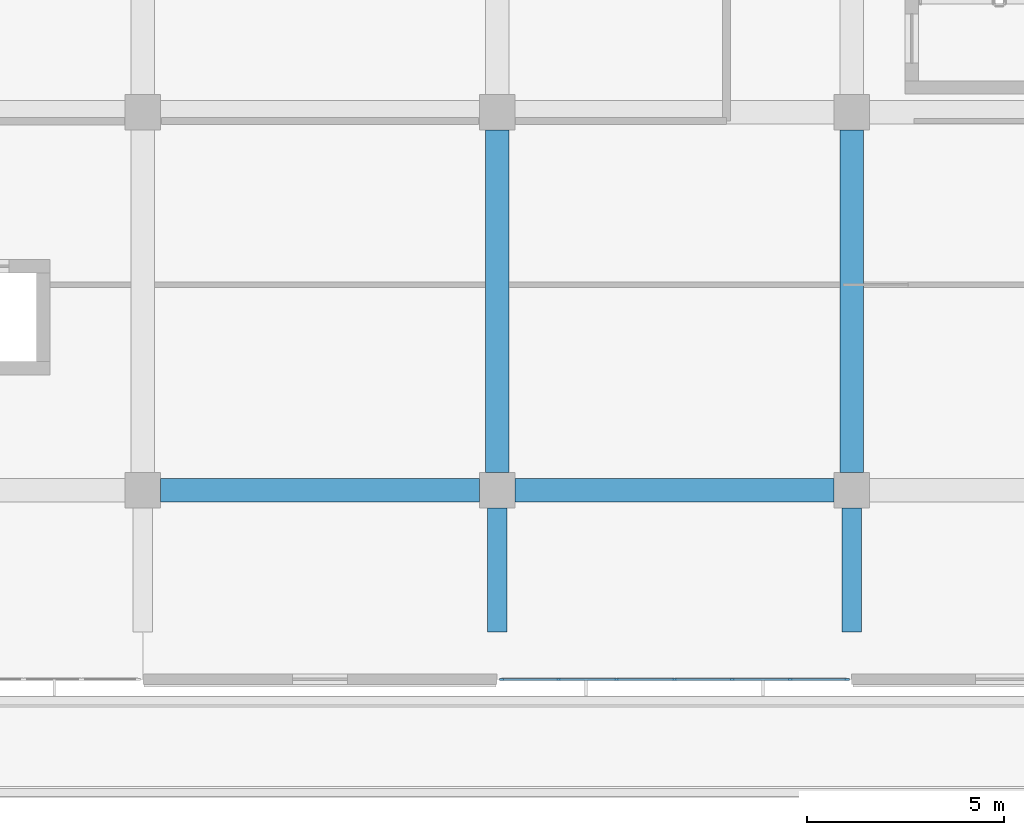
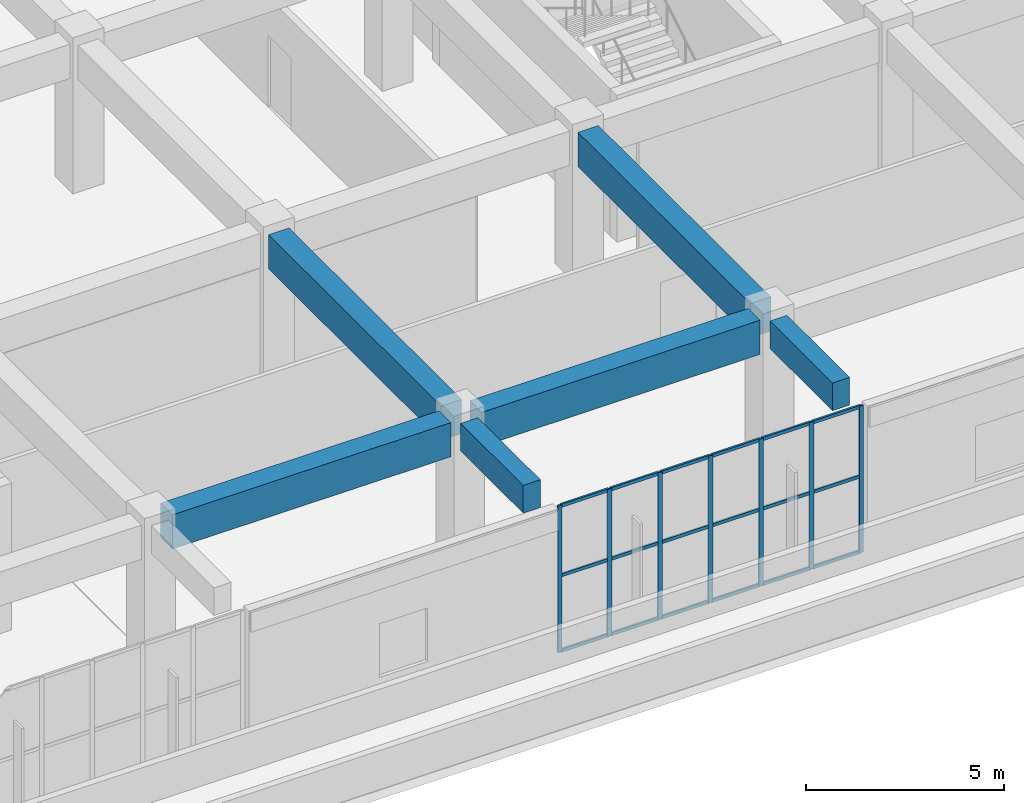
# One storey, part 20 of 96: 25 members, 6 beams, 1 element without a shape of its own.
"""IFC4 building model written with IfcOpenShell, lengths in metres."""

from ifc_helpers import new_model, si_unit, direction, frame, origin, origin_2d, place, context, subcontext, project, spatial, rectangle, extrude, material, layer, layer_set, material_profile, profile_set, type_object, element, aggregate, save


model = new_model("IFC4")

# Units and contexts
model_context = context("Model", 3, precision=1e-05, world=origin(), true_north=direction((0.0, 1.0)))
body_context = subcontext(model_context, "Body", "Model", "MODEL_VIEW")
ifc_project = project(units=[si_unit("LENGTHUNIT", "METRE"), si_unit("AREAUNIT", "SQUARE_METRE"), si_unit("VOLUMEUNIT", "CUBIC_METRE"), si_unit("PLANEANGLEUNIT", "RADIAN"), si_unit("MASSUNIT", "GRAM", prefix="KILO")], contexts=[model_context])

# Site, building, storey
site_placement = place(None, origin())
site = spatial("IfcSite", under=ifc_project, at=site_placement, CompositionType="ELEMENT")
building_placement = place(site_placement, origin())
building = spatial("IfcBuilding", under=site, at=building_placement, Name="Cendralis Terraced Arcade", CompositionType="ELEMENT")
storey_placement = place(building_placement, frame((0.0, 0.0, 10.199951171875)))
storey = spatial("IfcBuildingStorey", under=building, at=storey_placement, Name="L02", CompositionType="ELEMENT", Elevation=10.199951171875)

# Beams
ifc_material_1 = material(Name="Concrete f'c 35 MPa", Category="concrete")
ifc_material_profile_1 = material_profile(ifc_material_1, rectangle(XDim=0.60009765625, YDim=1.050048828125, at=origin_2d()), Name="RC-BM-600x1050", Category="LoadBearing")
ifc_profile_set_1 = profile_set([ifc_material_profile_1], Name="Concrete f'c 35 MPa")
beam_type_1 = type_object("IfcBeamType", Name="BM-600x1050", PredefinedType="JOIST", material=ifc_profile_set_1)
for number, where, z_axis, x_axis, name in (
    (1, (94.64990234375, 9.60009765625, 3.989990234375), (1.0, 0.0, 0.0), (0.0, 1.0, 0.0), "Reinforced Concrete Frame Beam BM-X-L03-B-11_12"),
    (2, (103.64990234375, 9.60009765625, 3.989990234375), (1.0, 0.0, 0.0), (0.0, 1.0, 0.0), "Reinforced Concrete Frame Beam BM-X-L03-B-12_13"),
):
    element("IfcBeam", number, at=place(storey_placement, frame(where, z_axis=z_axis, x_axis=x_axis)), inside=storey, type_object=beam_type_1, Name=name, PredefinedType="JOIST", context=body_context, shape_type="SweptSolid", body=[
        extrude(rectangle(XDim=0.60009765625, YDim=1.050048828125, at=origin_2d()), origin(), (0.0, 0.0, 1.0), 8.10009765625),
    ])
for number, where, z_axis, x_axis, name in (
    (3, (103.199951171875, 10.050048828125, 3.989990234375), (0.0, 1.0, 0.0), (-1.0, 0.0, 0.0), "Reinforced Concrete Frame Beam BM-Y-L03-12-B_C"),
    (4, (112.199951171875, 10.050048828125, 3.989990234375), (0.0, 1.0, 0.0), (-1.0, 0.0, 0.0), "Reinforced Concrete Frame Beam BM-Y-L03-13-B_C"),
):
    element("IfcBeam", number, at=place(storey_placement, frame(where, z_axis=z_axis, x_axis=x_axis)), inside=storey, type_object=beam_type_1, Name=name, PredefinedType="JOIST", context=body_context, shape_type="SweptSolid", body=[
        extrude(rectangle(XDim=0.60009765625, YDim=1.050048828125, at=origin_2d()), origin(), (0.0, 0.0, 1.0), 8.699951171875),
    ])
ifc_material_profile_2 = material_profile(ifc_material_1, rectangle(XDim=0.5, YDim=0.85009765625, at=origin_2d()), Name="RC-BM-500x850", Category="LoadBearing")
ifc_profile_set_2 = profile_set([ifc_material_profile_2], Name="Concrete f'c 35 MPa")
beam_type_2 = type_object("IfcBeamType", Name="BM-TER-500x850", PredefinedType="BEAM", material=ifc_profile_set_2)
for number, where, z_axis, x_axis, name in (
    (5, (103.199951171875, 9.14990234375, 4.090087890625), (0.0, -1.0, 0.0), (1.0, 0.0, 0.0), "Terrace Bracket Girder TER-L03-V4-12"),
    (6, (112.199951171875, 9.14990234375, 4.090087890625), (0.0, -1.0, 0.0), (1.0, 0.0, 0.0), "Terrace Bracket Girder TER-L03-V4-13"),
):
    element("IfcBeam", number, at=place(storey_placement, frame(where, z_axis=z_axis, x_axis=x_axis)), inside=storey, type_object=beam_type_2, Name=name, PredefinedType="BEAM", context=body_context, shape_type="SweptSolid", body=[
        extrude(rectangle(XDim=0.5, YDim=0.85009765625, at=origin_2d()), origin(), (0.0, 0.0, 1.0), 3.14990234375),
    ])

# Curtain wall, members
ifc_material_2 = material(Name="Anodised aluminium EN AW-6063 T6", Category="aluminium")
ifc_layer = layer(ifc_material_2, 0.1201171875, Name="CW-STORE-B")
ifc_layer_set = layer_set([ifc_layer], Name="Anodised aluminium EN AW-6063 T6")
curtain_wall_type = type_object("IfcCurtainWallType", Name="CW-STORE-B", PredefinedType="USERDEFINED", material=ifc_layer_set)
curtain_wall_placement = place(storey_placement, origin())
curtain_wall = element("IfcCurtainWall", 7, at=curtain_wall_placement, inside=storey, type_object=curtain_wall_type, Name="Exterior Storefront Glazing CW-L02-0189", ObjectType="STOREFRONT GLAZING", PredefinedType="USERDEFINED")
ifc_material_profile_3 = material_profile(ifc_material_2, rectangle(XDim=0.054931640625, YDim=0.1201171875, at=origin_2d()), Name="ALU-MUL-55x120")
ifc_profile_set_3 = profile_set([ifc_material_profile_3], Name="Anodised aluminium EN AW-6063 T6")
member_type_1 = type_object("IfcMemberType", Name="CW-STORE-B-MUL", PredefinedType="MULLION", material=ifc_profile_set_3)
member_1_placement = place(storey_placement, frame((112.08251953125, 4.800048828125, 0.0), z_axis=(0.0, 0.0, 1.0), x_axis=(0.0, -1.0, 0.0)))
member_1 = element("IfcMember", 8, at=member_1_placement, type_object=member_type_1, Name="CW-S2 mullion 1", PredefinedType="MULLION", context=body_context, shape_type="SweptSolid", body=[
    extrude(rectangle(XDim=0.054931640625, YDim=0.1201171875, at=origin_2d()), origin(), (0.0, 0.0, 1.0), 4.51513671875),
])
member_2_placement = place(storey_placement, frame((110.639892578125, 4.800048828125, 0.0), z_axis=(0.0, 0.0, 1.0), x_axis=(0.0, -1.0, 0.0)))
member_2 = element("IfcMember", 9, at=member_2_placement, type_object=member_type_1, Name="CW-S2 mullion 2", PredefinedType="MULLION", context=body_context, shape_type="SweptSolid", body=[
    extrude(rectangle(XDim=0.054931640625, YDim=0.1201171875, at=origin_2d()), origin(), (0.0, 0.0, 1.0), 4.51513671875),
])
member_3_placement = place(storey_placement, frame((109.169921875, 4.800048828125, 0.0), z_axis=(0.0, 0.0, 1.0), x_axis=(0.0, -1.0, 0.0)))
member_3 = element("IfcMember", 10, at=member_3_placement, type_object=member_type_1, Name="CW-S2 mullion 3", PredefinedType="MULLION", context=body_context, shape_type="SweptSolid", body=[
    extrude(rectangle(XDim=0.054931640625, YDim=0.1201171875, at=origin_2d()), origin(), (0.0, 0.0, 1.0), 4.51513671875),
])
member_4_placement = place(storey_placement, frame((107.699951171875, 4.800048828125, 0.0), z_axis=(0.0, 0.0, 1.0), x_axis=(0.0, -1.0, 0.0)))
member_4 = element("IfcMember", 11, at=member_4_placement, type_object=member_type_1, Name="CW-S2 mullion 4", PredefinedType="MULLION", context=body_context, shape_type="SweptSolid", body=[
    extrude(rectangle(XDim=0.054931640625, YDim=0.1201171875, at=origin_2d()), origin(), (0.0, 0.0, 1.0), 4.51513671875),
])
member_5_placement = place(storey_placement, frame((106.22998046875, 4.800048828125, 0.0), z_axis=(0.0, 0.0, 1.0), x_axis=(0.0, -1.0, 0.0)))
member_5 = element("IfcMember", 12, at=member_5_placement, type_object=member_type_1, Name="CW-S2 mullion 5", PredefinedType="MULLION", context=body_context, shape_type="SweptSolid", body=[
    extrude(rectangle(XDim=0.054931640625, YDim=0.1201171875, at=origin_2d()), origin(), (0.0, 0.0, 1.0), 4.51513671875),
])
member_6_placement = place(storey_placement, frame((104.760009765625, 4.800048828125, 0.0), z_axis=(0.0, 0.0, 1.0), x_axis=(0.0, -1.0, 0.0)))
member_6 = element("IfcMember", 13, at=member_6_placement, type_object=member_type_1, Name="CW-S2 mullion 6", PredefinedType="MULLION", context=body_context, shape_type="SweptSolid", body=[
    extrude(rectangle(XDim=0.054931640625, YDim=0.1201171875, at=origin_2d()), origin(), (0.0, 0.0, 1.0), 4.51513671875),
])
member_7_placement = place(storey_placement, frame((103.3173828125, 4.800048828125, 0.0), z_axis=(0.0, 0.0, 1.0), x_axis=(0.0, -1.0, 0.0)))
member_7 = element("IfcMember", 14, at=member_7_placement, type_object=member_type_1, Name="CW-S2 mullion 7", PredefinedType="MULLION", context=body_context, shape_type="SweptSolid", body=[
    extrude(rectangle(XDim=0.054931640625, YDim=0.1201171875, at=origin_2d()), origin(), (0.0, 0.0, 1.0), 4.51513671875),
])
ifc_material_profile_4 = material_profile(ifc_material_2, rectangle(XDim=0.054931640625, YDim=0.10009765625, at=origin_2d()), Name="ALU-TRN-55x100")
ifc_profile_set_4 = profile_set([ifc_material_profile_4], Name="Anodised aluminium EN AW-6063 T6")
member_type_2 = type_object("IfcMemberType", Name="CW-STORE-B-TRN", PredefinedType="USERDEFINED", material=ifc_profile_set_4)
member_8_placement = place(storey_placement, frame((112.054931640625, 4.800048828125, 0.027587890625), z_axis=(-1.0, 0.0, 0.0), x_axis=(0.0, -1.0, 0.0)))
member_8 = element("IfcMember", 15, at=member_8_placement, type_object=member_type_2, Name="CW-S2 transom 1.1", ObjectType="TRANSOM", PredefinedType="USERDEFINED", context=body_context, shape_type="SweptSolid", body=[
    extrude(rectangle(XDim=0.054931640625, YDim=0.10009765625, at=origin_2d()), origin(), (0.0, 0.0, 1.0), 1.387451171875),
])
member_9_placement = place(storey_placement, frame((112.054931640625, 4.800048828125, 2.347900390625), z_axis=(-1.0, 0.0, 0.0), x_axis=(0.0, -1.0, 0.0)))
member_9 = element("IfcMember", 16, at=member_9_placement, type_object=member_type_2, Name="CW-S2 transom 1.2", ObjectType="TRANSOM", PredefinedType="USERDEFINED", context=body_context, shape_type="SweptSolid", body=[
    extrude(rectangle(XDim=0.054931640625, YDim=0.10009765625, at=origin_2d()), origin(), (0.0, 0.0, 1.0), 1.387451171875),
])
member_10_placement = place(storey_placement, frame((112.054931640625, 4.800048828125, 4.487548828125), z_axis=(-1.0, 0.0, 0.0), x_axis=(0.0, -1.0, 0.0)))
member_10 = element("IfcMember", 17, at=member_10_placement, type_object=member_type_2, Name="CW-S2 transom 1.3", ObjectType="TRANSOM", PredefinedType="USERDEFINED", context=body_context, shape_type="SweptSolid", body=[
    extrude(rectangle(XDim=0.054931640625, YDim=0.10009765625, at=origin_2d()), origin(), (0.0, 0.0, 1.0), 1.387451171875),
])
member_11_placement = place(storey_placement, frame((110.612548828125, 4.800048828125, 0.027587890625), z_axis=(-1.0, 0.0, 0.0), x_axis=(0.0, -1.0, 0.0)))
member_11 = element("IfcMember", 18, at=member_11_placement, type_object=member_type_2, Name="CW-S2 transom 2.1", ObjectType="TRANSOM", PredefinedType="USERDEFINED", context=body_context, shape_type="SweptSolid", body=[
    extrude(rectangle(XDim=0.054931640625, YDim=0.10009765625, at=origin_2d()), origin(), (0.0, 0.0, 1.0), 1.4150390625),
])
member_12_placement = place(storey_placement, frame((110.612548828125, 4.800048828125, 2.347900390625), z_axis=(-1.0, 0.0, 0.0), x_axis=(0.0, -1.0, 0.0)))
member_12 = element("IfcMember", 19, at=member_12_placement, type_object=member_type_2, Name="CW-S2 transom 2.2", ObjectType="TRANSOM", PredefinedType="USERDEFINED", context=body_context, shape_type="SweptSolid", body=[
    extrude(rectangle(XDim=0.054931640625, YDim=0.10009765625, at=origin_2d()), origin(), (0.0, 0.0, 1.0), 1.4150390625),
])
member_13_placement = place(storey_placement, frame((110.612548828125, 4.800048828125, 4.487548828125), z_axis=(-1.0, 0.0, 0.0), x_axis=(0.0, -1.0, 0.0)))
member_13 = element("IfcMember", 20, at=member_13_placement, type_object=member_type_2, Name="CW-S2 transom 2.3", ObjectType="TRANSOM", PredefinedType="USERDEFINED", context=body_context, shape_type="SweptSolid", body=[
    extrude(rectangle(XDim=0.054931640625, YDim=0.10009765625, at=origin_2d()), origin(), (0.0, 0.0, 1.0), 1.4150390625),
])
member_14_placement = place(storey_placement, frame((109.142578125, 4.800048828125, 0.027587890625), z_axis=(-1.0, 0.0, 0.0), x_axis=(0.0, -1.0, 0.0)))
member_14 = element("IfcMember", 21, at=member_14_placement, type_object=member_type_2, Name="CW-S2 transom 3.1", ObjectType="TRANSOM", PredefinedType="USERDEFINED", context=body_context, shape_type="SweptSolid", body=[
    extrude(rectangle(XDim=0.054931640625, YDim=0.10009765625, at=origin_2d()), origin(), (0.0, 0.0, 1.0), 1.4150390625),
])
member_15_placement = place(storey_placement, frame((109.142578125, 4.800048828125, 2.347900390625), z_axis=(-1.0, 0.0, 0.0), x_axis=(0.0, -1.0, 0.0)))
member_15 = element("IfcMember", 22, at=member_15_placement, type_object=member_type_2, Name="CW-S2 transom 3.2", ObjectType="TRANSOM", PredefinedType="USERDEFINED", context=body_context, shape_type="SweptSolid", body=[
    extrude(rectangle(XDim=0.054931640625, YDim=0.10009765625, at=origin_2d()), origin(), (0.0, 0.0, 1.0), 1.4150390625),
])
member_16_placement = place(storey_placement, frame((109.142578125, 4.800048828125, 4.487548828125), z_axis=(-1.0, 0.0, 0.0), x_axis=(0.0, -1.0, 0.0)))
member_16 = element("IfcMember", 23, at=member_16_placement, type_object=member_type_2, Name="CW-S2 transom 3.3", ObjectType="TRANSOM", PredefinedType="USERDEFINED", context=body_context, shape_type="SweptSolid", body=[
    extrude(rectangle(XDim=0.054931640625, YDim=0.10009765625, at=origin_2d()), origin(), (0.0, 0.0, 1.0), 1.4150390625),
])
member_17_placement = place(storey_placement, frame((107.672607421875, 4.800048828125, 0.027587890625), z_axis=(-1.0, 0.0, 0.0), x_axis=(0.0, -1.0, 0.0)))
member_17 = element("IfcMember", 24, at=member_17_placement, type_object=member_type_2, Name="CW-S2 transom 4.1", ObjectType="TRANSOM", PredefinedType="USERDEFINED", context=body_context, shape_type="SweptSolid", body=[
    extrude(rectangle(XDim=0.054931640625, YDim=0.10009765625, at=origin_2d()), origin(), (0.0, 0.0, 1.0), 1.4150390625),
])
member_18_placement = place(storey_placement, frame((107.672607421875, 4.800048828125, 2.347900390625), z_axis=(-1.0, 0.0, 0.0), x_axis=(0.0, -1.0, 0.0)))
member_18 = element("IfcMember", 25, at=member_18_placement, type_object=member_type_2, Name="CW-S2 transom 4.2", ObjectType="TRANSOM", PredefinedType="USERDEFINED", context=body_context, shape_type="SweptSolid", body=[
    extrude(rectangle(XDim=0.054931640625, YDim=0.10009765625, at=origin_2d()), origin(), (0.0, 0.0, 1.0), 1.4150390625),
])
member_19_placement = place(storey_placement, frame((107.672607421875, 4.800048828125, 4.487548828125), z_axis=(-1.0, 0.0, 0.0), x_axis=(0.0, -1.0, 0.0)))
member_19 = element("IfcMember", 26, at=member_19_placement, type_object=member_type_2, Name="CW-S2 transom 4.3", ObjectType="TRANSOM", PredefinedType="USERDEFINED", context=body_context, shape_type="SweptSolid", body=[
    extrude(rectangle(XDim=0.054931640625, YDim=0.10009765625, at=origin_2d()), origin(), (0.0, 0.0, 1.0), 1.4150390625),
])
member_20_placement = place(storey_placement, frame((106.202392578125, 4.800048828125, 0.027587890625), z_axis=(-1.0, 0.0, 0.0), x_axis=(0.0, -1.0, 0.0)))
member_20 = element("IfcMember", 27, at=member_20_placement, type_object=member_type_2, Name="CW-S2 transom 5.1", ObjectType="TRANSOM", PredefinedType="USERDEFINED", context=body_context, shape_type="SweptSolid", body=[
    extrude(rectangle(XDim=0.054931640625, YDim=0.10009765625, at=origin_2d()), origin(), (0.0, 0.0, 1.0), 1.414794921875),
])
member_21_placement = place(storey_placement, frame((106.202392578125, 4.800048828125, 2.347900390625), z_axis=(-1.0, 0.0, 0.0), x_axis=(0.0, -1.0, 0.0)))
member_21 = element("IfcMember", 28, at=member_21_placement, type_object=member_type_2, Name="CW-S2 transom 5.2", ObjectType="TRANSOM", PredefinedType="USERDEFINED", context=body_context, shape_type="SweptSolid", body=[
    extrude(rectangle(XDim=0.054931640625, YDim=0.10009765625, at=origin_2d()), origin(), (0.0, 0.0, 1.0), 1.414794921875),
])
member_22_placement = place(storey_placement, frame((106.202392578125, 4.800048828125, 4.487548828125), z_axis=(-1.0, 0.0, 0.0), x_axis=(0.0, -1.0, 0.0)))
member_22 = element("IfcMember", 29, at=member_22_placement, type_object=member_type_2, Name="CW-S2 transom 5.3", ObjectType="TRANSOM", PredefinedType="USERDEFINED", context=body_context, shape_type="SweptSolid", body=[
    extrude(rectangle(XDim=0.054931640625, YDim=0.10009765625, at=origin_2d()), origin(), (0.0, 0.0, 1.0), 1.414794921875),
])
member_23_placement = place(storey_placement, frame((104.732421875, 4.800048828125, 0.027587890625), z_axis=(-1.0, 0.0, 0.0), x_axis=(0.0, -1.0, 0.0)))
member_23 = element("IfcMember", 30, at=member_23_placement, type_object=member_type_2, Name="CW-S2 transom 6.1", ObjectType="TRANSOM", PredefinedType="USERDEFINED", context=body_context, shape_type="SweptSolid", body=[
    extrude(rectangle(XDim=0.054931640625, YDim=0.10009765625, at=origin_2d()), origin(), (0.0, 0.0, 1.0), 1.387451171875),
])
member_24_placement = place(storey_placement, frame((104.732421875, 4.800048828125, 2.347900390625), z_axis=(-1.0, 0.0, 0.0), x_axis=(0.0, -1.0, 0.0)))
member_24 = element("IfcMember", 31, at=member_24_placement, type_object=member_type_2, Name="CW-S2 transom 6.2", ObjectType="TRANSOM", PredefinedType="USERDEFINED", context=body_context, shape_type="SweptSolid", body=[
    extrude(rectangle(XDim=0.054931640625, YDim=0.10009765625, at=origin_2d()), origin(), (0.0, 0.0, 1.0), 1.387451171875),
])
member_25_placement = place(storey_placement, frame((104.732421875, 4.800048828125, 4.487548828125), z_axis=(-1.0, 0.0, 0.0), x_axis=(0.0, -1.0, 0.0)))
member_25 = element("IfcMember", 32, at=member_25_placement, type_object=member_type_2, Name="CW-S2 transom 6.3", ObjectType="TRANSOM", PredefinedType="USERDEFINED", context=body_context, shape_type="SweptSolid", body=[
    extrude(rectangle(XDim=0.054931640625, YDim=0.10009765625, at=origin_2d()), origin(), (0.0, 0.0, 1.0), 1.387451171875),
])
aggregate(curtain_wall, [member_1, member_2, member_3, member_4, member_5, member_6, member_7, member_8, member_9, member_10, member_11, member_12, member_13, member_14, member_15, member_16, member_17, member_18, member_19, member_20, member_21, member_22, member_23, member_24, member_25])

save(model, "model.ifc")
